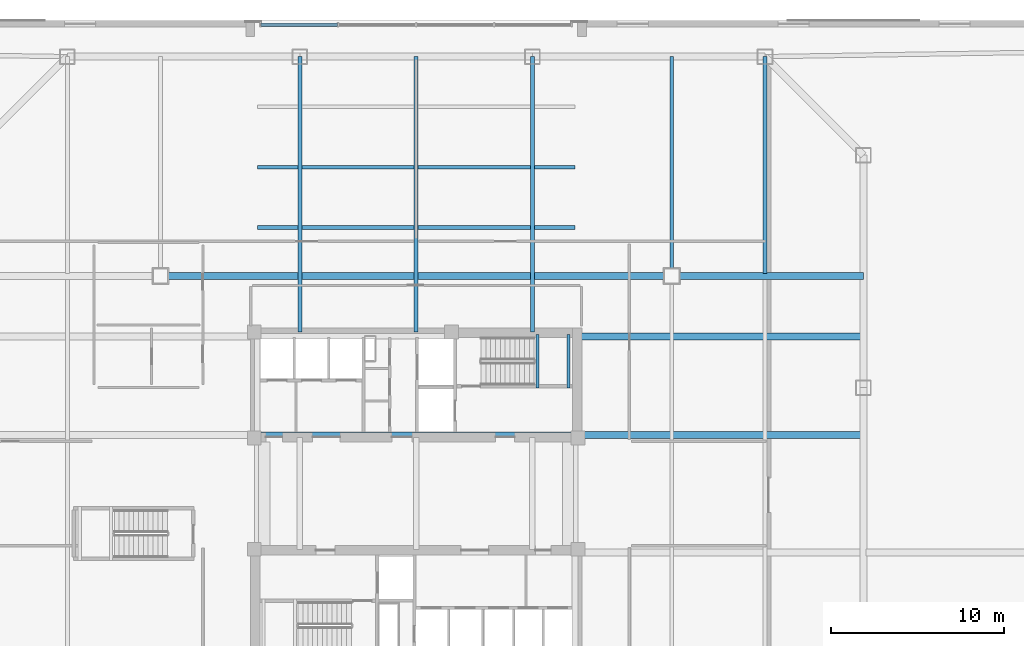
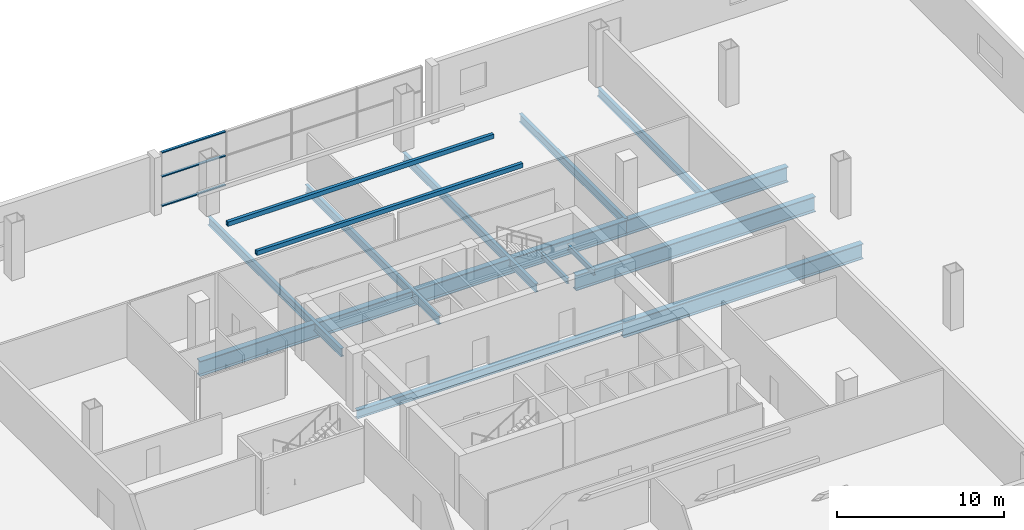
# One storey, part 9 of 21: 12 beams, 5 members, 1 element without a shape of its own.
"""IFC4 building model written with IfcOpenShell, lengths in metres."""

from ifc_helpers import new_model, si_unit, direction, frame, origin, origin_2d, place, context, subcontext, project, spatial, hollow_rectangle, i_section, extrude, material, layer, layer_set, material_profile, profile_set, type_object, element, aggregate, save


model = new_model("IFC4")

# Units and contexts
model_context = context("Model", 3, precision=1e-05, world=origin(), true_north=direction((0.0, 1.0)))
body_context = subcontext(model_context, "Body", "Model", "MODEL_VIEW")
ifc_project = project(units=[si_unit("LENGTHUNIT", "METRE"), si_unit("AREAUNIT", "SQUARE_METRE"), si_unit("VOLUMEUNIT", "CUBIC_METRE"), si_unit("PLANEANGLEUNIT", "RADIAN"), si_unit("MASSUNIT", "GRAM", prefix="KILO")], contexts=[model_context])

# Site, building, storey
site_placement = place(None, origin())
site = spatial("IfcSite", under=ifc_project, at=site_placement, CompositionType="ELEMENT")
building_placement = place(site_placement, origin())
building = spatial("IfcBuilding", under=site, at=building_placement, Name="Qhalaya Broadcast Tower", CompositionType="ELEMENT")
storey_placement = place(building_placement, frame((0.0, 0.0, 21.89990234375)))
storey = spatial("IfcBuildingStorey", under=building, at=storey_placement, Name="L05", CompositionType="ELEMENT", Elevation=21.89990234375)

# Beams
ifc_material_1 = material(Name="Structural Steel ASTM A992 Grade 50", Category="steel")
ifc_material_profile_1 = material_profile(ifc_material_1, i_section(OverallWidth=0.22802734375, OverallDepth=0.60693359375, WebThickness=0.01123046875, FlangeThickness=0.017333984375, at=origin_2d()), Name="W24X76")
ifc_profile_set_1 = profile_set([ifc_material_profile_1], Name="Structural Steel ASTM A992 Grade 50")
beam_type_1 = type_object("IfcBeamType", Name="Composite Floor Joist J01", PredefinedType="JOIST", material=ifc_profile_set_1)
for number, where, z_axis, x_axis, name in (
    (1, (-6.7333984375, 9.949951171875, -0.683349609375), (0.0, 1.0, 0.0), (-1.0, 0.0, 0.0), "L05 J01 L05-JS-CN-6.7"),
    (2, (0.0, 9.949951171875, -0.683349609375), (0.0, 1.0, 0.0), (-1.0, 0.0, 0.0), "L05 J01 L05-JS-CN+0.0"),
    (3, (6.7333984375, 9.949951171875, -0.683349609375), (0.0, 1.0, 0.0), (-1.0, 0.0, 0.0), "L05 J01 L05-JS-CN+6.7"),
):
    element("IfcBeam", number, at=place(storey_placement, frame(where, z_axis=z_axis, x_axis=x_axis)), inside=storey, type_object=beam_type_1, Name=name, PredefinedType="JOIST", context=body_context, shape_type="SweptSolid", body=[
        extrude(i_section(OverallWidth=0.22802734375, OverallDepth=0.60693359375, WebThickness=0.01123046875, FlangeThickness=0.017333984375, at=origin_2d()), origin(), (0.0, 0.0, 1.0), 15.949951171875),
    ])
beam_1_placement = place(storey_placement, frame((14.800048828125, 13.199951171875, -0.683349609375), z_axis=(0.0, 1.0, 0.0), x_axis=(-1.0, 0.0, 0.0)))
element("IfcBeam", 4, at=beam_1_placement, inside=storey, type_object=beam_type_1, Name="L05 J01 L05-JS-N+14.8", PredefinedType="JOIST", context=body_context, shape_type="SweptSolid", body=[
    extrude(i_section(OverallWidth=0.22802734375, OverallDepth=0.60693359375, WebThickness=0.01123046875, FlangeThickness=0.017333984375, at=origin_2d()), origin(), (0.0, 0.0, 1.0), 12.699951171875),
])
beam_2_placement = place(storey_placement, frame((20.199951171875, 13.340087890625, -0.683349609375), z_axis=(0.0, 1.0, 0.0), x_axis=(-1.0, 0.0, 0.0)))
element("IfcBeam", 5, at=beam_2_placement, inside=storey, type_object=beam_type_1, Name="L05 J01 L05-JS-N+20.2", PredefinedType="JOIST", context=body_context, shape_type="SweptSolid", body=[
    extrude(i_section(OverallWidth=0.22802734375, OverallDepth=0.60693359375, WebThickness=0.01123046875, FlangeThickness=0.017333984375, at=origin_2d()), origin(), (0.0, 0.0, 1.0), 12.559814453125),
])

# Members
ifc_material_2 = material(Name="Structural Steel ASTM A572 Grade 50", Category="steel")
ifc_material_profile_2 = material_profile(ifc_material_2, hollow_rectangle(XDim=0.219970703125, YDim=0.320068359375, WallThickness=0.01611328125, at=origin_2d()), Name="HSS 220x320x16")
ifc_profile_set_2 = profile_set([ifc_material_profile_2], Name="Structural Steel ASTM A572 Grade 50")
member_type_1 = type_object("IfcMemberType", Name="Concourse & Lookout Canopy Purlin PR1", PredefinedType="PURLIN", material=ifc_profile_set_2)
for number, where, z_axis, x_axis, name in (
    (6, (-9.199951171875, 16.0, 3.815185546875), (1.0, 0.0, 0.0), (0.0, 1.0, 0.0), "Concourse Skylight Purlin PR-04"),
    (7, (-9.199951171875, 19.5, 3.815185546875), (1.0, 0.0, 0.0), (0.0, 1.0, 0.0), "Concourse Skylight Purlin PR-05"),
):
    element("IfcMember", number, at=place(storey_placement, frame(where, z_axis=z_axis, x_axis=x_axis)), inside=storey, type_object=member_type_1, Name=name, PredefinedType="PURLIN", context=body_context, shape_type="SweptSolid", body=[
        extrude(hollow_rectangle(XDim=0.219970703125, YDim=0.320068359375, WallThickness=0.01611328125, at=origin_2d()), origin(), (0.0, 0.0, 1.0), 18.39990234375),
    ])

# Beams
ifc_material_profile_3 = material_profile(ifc_material_1, i_section(OverallWidth=0.323974609375, OverallDepth=0.612060546875, WebThickness=0.0126953125, FlangeThickness=0.01904296875, at=origin_2d()), Name="W24X104")
ifc_profile_set_3 = profile_set([ifc_material_profile_3], Name="Structural Steel ASTM A992 Grade 50")
beam_type_2 = type_object("IfcBeamType", Name="Core Frame Tie Beam B04", PredefinedType="BEAM", material=ifc_profile_set_3)
beam_3_placement = place(storey_placement, frame((-9.199951171875, 4.0, -0.685791015625), z_axis=(1.0, 0.0, 0.0), x_axis=(0.0, 1.0, 0.0)))
element("IfcBeam", 8, at=beam_3_placement, inside=storey, type_object=beam_type_2, Name="L05 B04 L05-CCN1", PredefinedType="BEAM", context=body_context, shape_type="SweptSolid", body=[
    extrude(i_section(OverallWidth=0.323974609375, OverallDepth=0.612060546875, WebThickness=0.0126953125, FlangeThickness=0.01904296875, at=origin_2d()), origin(), (0.0, 0.0, 1.0), 18.39990234375),
])
ifc_material_profile_4 = material_profile(ifc_material_1, i_section(OverallWidth=0.404052734375, OverallDepth=1.117919921875, WebThickness=0.026123046875, FlangeThickness=0.044921875, at=origin_2d()), Name="W44X335")
ifc_profile_set_4 = profile_set([ifc_material_profile_4], Name="Structural Steel ASTM A992 Grade 50")
beam_type_3 = type_object("IfcBeamType", Name="Podium Long-Span Primary Girder PG1", PredefinedType="USERDEFINED", material=ifc_profile_set_4)
beam_4_placement = place(storey_placement, frame((-14.800048828125, 13.199951171875, -0.93896484375), z_axis=(1.0, 0.0, 0.0), x_axis=(0.0, 1.0, 0.0)))
element("IfcBeam", 9, at=beam_4_placement, inside=storey, type_object=beam_type_3, Name="L05 PG1 L05-PG-GN3", ObjectType="GIRDER", PredefinedType="USERDEFINED", context=body_context, shape_type="SweptSolid", body=[
    extrude(i_section(OverallWidth=0.404052734375, OverallDepth=1.117919921875, WebThickness=0.026123046875, FlangeThickness=0.044921875, at=origin_2d()), origin(), (0.0, 0.0, 1.0), 29.60009765625),
])
beam_5_placement = place(storey_placement, frame((14.800048828125, 13.199951171875, -0.93896484375), z_axis=(1.0, 0.0, 0.0), x_axis=(0.0, 1.0, 0.0)))
element("IfcBeam", 10, at=beam_5_placement, inside=storey, type_object=beam_type_3, Name="L05 PG1 L05-PG-GN4", ObjectType="GIRDER", PredefinedType="USERDEFINED", context=body_context, shape_type="SweptSolid", body=[
    extrude(i_section(OverallWidth=0.404052734375, OverallDepth=1.117919921875, WebThickness=0.026123046875, FlangeThickness=0.044921875, at=origin_2d()), origin(), (0.0, 0.0, 1.0), 11.099853515625),
])
for number, where, z_axis, x_axis, name in (
    (11, (9.199951171875, 4.0, -0.93896484375), (1.0, 0.0, 0.0), (0.0, 1.0, 0.0), "L05 PG1 L05-PG-E3A"),
    (12, (9.199951171875, 9.699951171875, -0.93896484375), (1.0, 0.0, 0.0), (0.0, 1.0, 0.0), "L05 PG1 L05-PG-E4A"),
):
    element("IfcBeam", number, at=place(storey_placement, frame(where, z_axis=z_axis, x_axis=x_axis)), inside=storey, type_object=beam_type_3, Name=name, ObjectType="GIRDER", PredefinedType="USERDEFINED", context=body_context, shape_type="SweptSolid", body=[
        extrude(i_section(OverallWidth=0.404052734375, OverallDepth=1.117919921875, WebThickness=0.026123046875, FlangeThickness=0.044921875, at=origin_2d()), origin(), (0.0, 0.0, 1.0), 16.56005859375),
    ])

# Curtain wall, members
ifc_material_3 = material(Name="Solar-Control Low-E Triple Glazing", Category="glass")
ifc_layer = layer(ifc_material_3, 0.219970703125, Name="Solar-Control Low-E Triple Glazing")
ifc_layer_set = layer_set([ifc_layer], Name="Solar-Control Low-E Triple Glazing")
curtain_wall_type = type_object("IfcCurtainWallType", Name="Podium Concourse Triple-Height Glazed Portal CW-01", PredefinedType="NOTDEFINED", material=ifc_layer_set)
curtain_wall_placement = place(storey_placement, origin())
curtain_wall = element("IfcCurtainWall", 13, at=curtain_wall_placement, inside=storey, type_object=curtain_wall_type, Name="L05 Unitised Curtain Wall L05-CW01-N", PredefinedType="NOTDEFINED")
ifc_material_4 = material(Name="Anodised Aluminium 6063-T6", Category="aluminium")
ifc_material_profile_5 = material_profile(ifc_material_4, hollow_rectangle(XDim=0.074951171875, YDim=0.179931640625, WallThickness=0.00390625, at=origin_2d()), Name="ALU-TRN 75x180x4")
ifc_profile_set_5 = profile_set([ifc_material_profile_5], Name="Anodised Aluminium 6063-T6")
member_type_2 = type_object("IfcMemberType", Name="Unitised Curtain-Wall Transom T01", PredefinedType="USERDEFINED", material=ifc_profile_set_5)
member_1_placement = place(storey_placement, frame((-4.5625, 27.75, 0.03759765625), z_axis=(-1.0, 0.0, 0.0), x_axis=(0.0, 0.0, 1.0)))
member_1 = element("IfcMember", 14, at=member_1_placement, type_object=member_type_2, Name="CW-01 transom 4.1", ObjectType="TRANSOM", PredefinedType="USERDEFINED", context=body_context, shape_type="SweptSolid", body=[
    extrude(hollow_rectangle(XDim=0.074951171875, YDim=0.179931640625, WallThickness=0.00390625, at=origin_2d()), origin(), (0.0, 0.0, 1.0), 4.41259765625),
])
member_2_placement = place(storey_placement, frame((-4.5625, 27.75, 2.189208984375), z_axis=(-1.0, 0.0, 0.0), x_axis=(0.0, 0.0, 1.0)))
member_2 = element("IfcMember", 15, at=member_2_placement, type_object=member_type_2, Name="CW-01 transom 4.2", ObjectType="TRANSOM", PredefinedType="USERDEFINED", context=body_context, shape_type="SweptSolid", body=[
    extrude(hollow_rectangle(XDim=0.074951171875, YDim=0.179931640625, WallThickness=0.00390625, at=origin_2d()), origin(), (0.0, 0.0, 1.0), 4.41259765625),
])
member_3_placement = place(storey_placement, frame((-4.5625, 27.75, 3.942626953125), z_axis=(-1.0, 0.0, 0.0), x_axis=(0.0, 0.0, 1.0)))
member_3 = element("IfcMember", 16, at=member_3_placement, type_object=member_type_2, Name="CW-01 transom 4.3", ObjectType="TRANSOM", PredefinedType="USERDEFINED", context=body_context, shape_type="SweptSolid", body=[
    extrude(hollow_rectangle(XDim=0.074951171875, YDim=0.179931640625, WallThickness=0.00390625, at=origin_2d()), origin(), (0.0, 0.0, 1.0), 4.41259765625),
])
aggregate(curtain_wall, [member_1, member_2, member_3])

# Beams
ifc_material_profile_6 = material_profile(ifc_material_1, i_section(OverallWidth=0.177978515625, OverallDepth=0.406005859375, WebThickness=0.0078125, FlangeThickness=0.0126953125, at=origin_2d()), Name="W16X40")
ifc_profile_set_6 = profile_set([ifc_material_profile_6], Name="Structural Steel ASTM A992 Grade 50")
beam_type_4 = type_object("IfcBeamType", Name="Upper Perimeter Spandrel Beam SP2", PredefinedType="SPANDREL", material=ifc_profile_set_6)
for number, where, z_axis, x_axis, name in (
    (17, (7.014892578125, 6.699951171875, 1.697021484375), (0.0, 1.0, 0.0), (-1.0, 0.0, 0.0), "L05 ST-1 Half-Landing Bearer Beam 1"),
    (18, (8.830078125, 6.699951171875, 1.697021484375), (0.0, 1.0, 0.0), (-1.0, 0.0, 0.0), "L05 ST-1 Half-Landing Bearer Beam 2"),
):
    element("IfcBeam", number, at=place(storey_placement, frame(where, z_axis=z_axis, x_axis=x_axis)), inside=storey, type_object=beam_type_4, Name=name, PredefinedType="SPANDREL", context=body_context, shape_type="SweptSolid", body=[
        extrude(i_section(OverallWidth=0.177978515625, OverallDepth=0.406005859375, WebThickness=0.0078125, FlangeThickness=0.0126953125, at=origin_2d()), origin(), (0.0, 0.0, 1.0), 3.1201171875),
    ])

save(model, "model.ifc")
